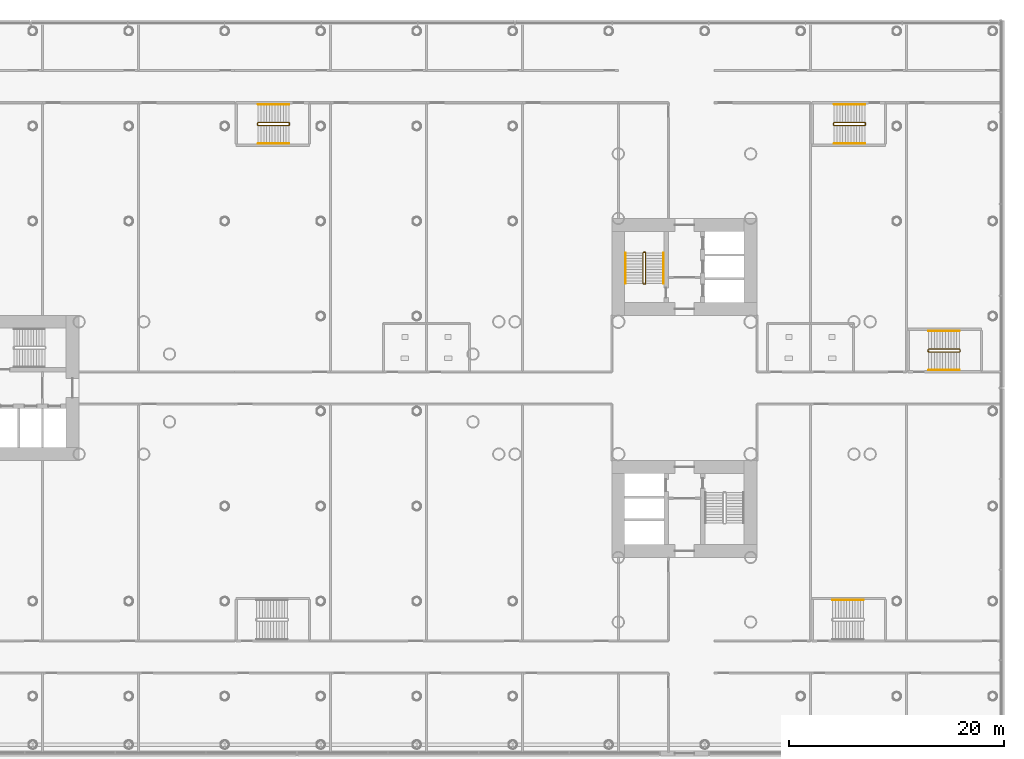
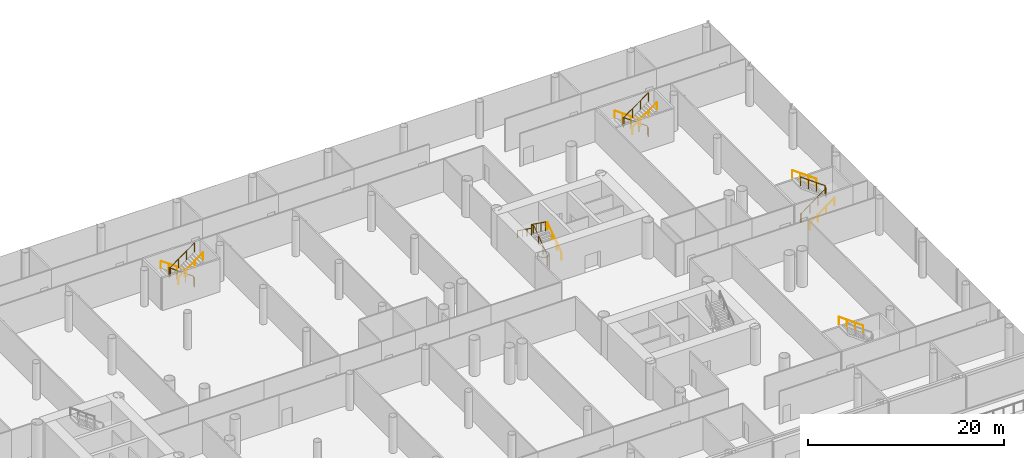
# One storey, part 50 of 51: 13 railings.
"""IFC4 building model written with IfcOpenShell, lengths in metres."""

import ifcopenshell
import ifcopenshell.guid

model = None  # the IFC model being written
_history = None  # IfcOwnerHistory: only IFC2X3 demands one
_inside = {}  # id of a spatial element -> (the spatial element, [elements in it])
_under = {}  # id of a project, library or spatial element -> (it, [spatial elements below it])
_declared = {}  # id of a project -> (the project, [libraries it declares])
_typed = {}  # id of a type object -> (the type object, [elements of that type])
_made_of = {}  # id of a material, layer set ... -> (it, [elements and type objects made of it])


def new_model(schema):
    """Start an empty IFC model of exactly this schema.

    Asked for "IFC4X3", IfcOpenShell would pick the latest addendum, in which some entities
    have other attributes; the version numbers below select the first issue.
    IFC2X3 requires an IfcOwnerHistory on every rooted entity: one is made here for all.
    """
    global model, _history
    if schema == "IFC4X3":
        model = ifcopenshell.file(schema_version=(4, 3, 0, 0))
    else:
        model = ifcopenshell.file(schema=schema)
    _inside.clear()
    _under.clear()
    _declared.clear()
    _typed.clear()
    _made_of.clear()
    _history = None
    if model.schema == "IFC2X3":
        org = make("IfcOrganization", Name="unknown")
        user = make(
            "IfcPersonAndOrganization",
            ThePerson=make("IfcPerson", FamilyName="unknown"),
            TheOrganization=org,
        )
        app = make(
            "IfcApplication",
            ApplicationDeveloper=org,
            Version="unknown",
            ApplicationFullName="unknown",
            ApplicationIdentifier="unknown",
        )
        _history = make(
            "IfcOwnerHistory",
            OwningUser=user,
            OwningApplication=app,
            ChangeAction="ADDED",
            CreationDate=0,
        )
    return model


def make(cls, **values):
    """One entity of the class cls with the attributes given. An attribute that is None is left unset."""
    return model.create_entity(
        cls, **{name: value for name, value in values.items() if value is not None}
    )


def rooted(cls, **values):
    """An entity with a GlobalId (a new one), such as an element, a storey or a relation."""
    return make(cls, GlobalId=ifcopenshell.guid.new(), OwnerHistory=_history, **values)


def si_unit(unit_type, name, prefix=None):
    """IfcSIUnit, for example si_unit("LENGTHUNIT", "METRE", prefix="MILLI")."""
    return make("IfcSIUnit", UnitType=unit_type, Prefix=prefix, Name=name)


def assignment(units):
    """IfcUnitAssignment: the units of a project."""
    return None if units is None else make("IfcUnitAssignment", Units=units)


def point(xyz):
    """IfcCartesianPoint."""
    return None if xyz is None else make("IfcCartesianPoint", Coordinates=xyz)


def direction(xyz):
    """IfcDirection."""
    return None if xyz is None else make("IfcDirection", DirectionRatios=xyz)


def frame(location, z_axis=None, x_axis=None):
    """IfcAxis2Placement3D, a coordinate frame: its origin and axes. An axis left out is left unset."""
    return make(
        "IfcAxis2Placement3D",
        Location=point(location),
        Axis=direction(z_axis),
        RefDirection=direction(x_axis),
    )


def frame_2d(location, x_axis=None):
    """IfcAxis2Placement2D, a coordinate frame in the plane: its origin and x axis."""
    return make(
        "IfcAxis2Placement2D", Location=point(location), RefDirection=direction(x_axis)
    )


def origin():
    """The frame at (0, 0, 0) with its axes left unset."""
    return frame((0.0, 0.0, 0.0))


def origin_2d():
    """The frame at (0, 0) in the plane with its x axis left unset."""
    return frame_2d((0.0, 0.0))


def place(relative_to, where):
    """IfcLocalPlacement: puts the frame where relative to a parent placement (None: the world)."""
    return make(
        "IfcLocalPlacement", PlacementRelTo=relative_to, RelativePlacement=where
    )


def context(
    kind, dimensions, precision=None, world=None, true_north=None, identifier=None
):
    """IfcGeometricRepresentationContext, for example the 3D "Model" context."""
    return make(
        "IfcGeometricRepresentationContext",
        ContextIdentifier=identifier,
        ContextType=kind,
        CoordinateSpaceDimension=dimensions,
        Precision=precision,
        WorldCoordinateSystem=world,
        TrueNorth=true_north,
    )


def subcontext(parent, identifier, kind, view, scale=None):
    """IfcGeometricRepresentationSubContext, for example "Body" below "Model"."""
    return make(
        "IfcGeometricRepresentationSubContext",
        ContextIdentifier=identifier,
        ContextType=kind,
        ParentContext=parent,
        TargetScale=scale,
        TargetView=view,
    )


def project(units=None, contexts=None):
    """IfcProject with its units and contexts."""
    return rooted(
        "IfcProject",
        Name="project",
        RepresentationContexts=contexts,
        UnitsInContext=assignment(units),
    )


def spatial(cls, under=None, at=None, **own):
    """A site, building, storey or space (cls), placed at a placement, below another one or the project."""
    s = rooted(cls, ObjectPlacement=at, **own)
    if under is not None:
        _under.setdefault(under.id(), (under, []))[1].append(s)
    return s


def profile(cls, at=None, kind="AREA", **sizes):
    """A parametric profile (cls). Its sizes go by their IFC names, for example OverallWidth=200.0."""
    return make(cls, ProfileType=kind, Position=at, **sizes)


def circle(**sizes):
    """IfcCircleProfileDef."""
    return profile("IfcCircleProfileDef", **sizes)


def extrude(swept, where, along, depth):
    """IfcExtrudedAreaSolid: the profile swept, set in the frame where, extruded along a direction by depth."""
    return make(
        "IfcExtrudedAreaSolid",
        SweptArea=swept,
        Position=where,
        ExtrudedDirection=direction(along),
        Depth=depth,
    )


def shape(context_of_items, identifier, shape_type, items):
    """IfcShapeRepresentation: the items that make up one representation, for example the "Body"."""
    return make(
        "IfcShapeRepresentation",
        ContextOfItems=context_of_items,
        RepresentationIdentifier=identifier,
        RepresentationType=shape_type,
        Items=items,
    )


def material(Name=None, Category=None):
    """IfcMaterial."""
    return make("IfcMaterial", Name=Name, Category=Category)


def made_of(thing, what):
    """Note that an element or type object is made of a material, layer set ...; save() writes the relation."""
    if what is not None:
        _made_of.setdefault(what.id(), (what, []))[1].append(thing)
    return thing


def type_object(cls, material=None, **own):
    """A type object (cls), such as IfcWallType, which elements share."""
    return made_of(rooted(cls, **own), material)


def element(
    cls,
    number,
    at=None,
    inside=None,
    cuts=None,
    type_object=None,
    material=None,
    context=None,
    identifier="Body",
    shape_type=None,
    held_by="IfcProductDefinitionShape",
    body=None,
    shapes=None,
    **own,
):
    """One element of the class cls, such as IfcWall. Its Tag is "e" and its number.

    at: its placement. inside: the storey or other place that contains it. cuts: it is an
    opening in that element (IfcRelVoidsElement). A single representation is given by context,
    identifier, shape_type and body (its items); several are given by shapes. held_by: the class
    of the entity that holds the representations. save() writes the other relations.
    """
    e = rooted(cls, Tag="e%d" % number, ObjectPlacement=at, **own)
    if body is not None:
        shapes = [shape(context, identifier, shape_type, body)]
    if shapes is not None:
        e.Representation = make(held_by, Representations=shapes)
    if inside is not None:
        _inside.setdefault(inside.id(), (inside, []))[1].append(e)
    if cuts is not None:
        rooted(
            "IfcRelVoidsElement", RelatingBuildingElement=cuts, RelatedOpeningElement=e
        )
    if type_object is not None:
        _typed.setdefault(type_object.id(), (type_object, []))[1].append(e)
    return made_of(e, material)


def aggregate(whole, parts):
    """IfcRelAggregates: a whole, such as a stair, and the parts it consists of."""
    return rooted("IfcRelAggregates", RelatingObject=whole, RelatedObjects=parts)


def save(model, path):
    """Write the relations noted so far, then the file.

    IfcRelAggregates (storeys below a building ...), IfcRelContainedInSpatialStructure (elements
    in a storey), IfcRelDefinesByType, IfcRelAssociatesMaterial and IfcRelDeclares: one each for
    every whole, place, type object, material and project.
    """
    for whole, parts in _under.values():
        aggregate(whole, parts)
    for where, things in _inside.values():
        rooted(
            "IfcRelContainedInSpatialStructure",
            RelatedElements=things,
            RelatingStructure=where,
        )
    for kind, things in _typed.values():
        rooted("IfcRelDefinesByType", RelatedObjects=things, RelatingType=kind)
    for what, things in _made_of.values():
        rooted("IfcRelAssociatesMaterial", RelatedObjects=things, RelatingMaterial=what)
    for by, libraries in _declared.values():
        rooted("IfcRelDeclares", RelatingContext=by, RelatedDefinitions=libraries)
    model.write(path)


model = new_model("IFC4")

# Units and contexts
model_context = context("Model", 3, precision=1e-05, world=origin(), true_north=direction((0.0, 1.0)))
body_context = subcontext(model_context, "Body", "Model", "MODEL_VIEW")
ifc_project = project(units=[si_unit("LENGTHUNIT", "METRE"), si_unit("AREAUNIT", "SQUARE_METRE"), si_unit("VOLUMEUNIT", "CUBIC_METRE"), si_unit("PLANEANGLEUNIT", "RADIAN"), si_unit("MASSUNIT", "GRAM", prefix="KILO")], contexts=[model_context])

# Site, building, storey
site_placement = place(None, origin())
site = spatial("IfcSite", under=ifc_project, at=site_placement, CompositionType="ELEMENT")
building_placement = place(site_placement, origin())
building = spatial("IfcBuilding", under=site, at=building_placement, Name="Ipe Terrace Towers", CompositionType="ELEMENT")
storey_placement = place(building_placement, frame((0.0, 0.0, 15.5)))
storey = spatial("IfcBuildingStorey", under=building, at=storey_placement, Name="L03", CompositionType="ELEMENT", Elevation=15.5)

# Railings
ifc_material_1 = material(Name="Steel S355", Category="steel")
railing_type_1 = type_object("IfcRailingType", Name="Stair guard 1100", PredefinedType="GUARDRAIL", material=ifc_material_1)
railing_1_placement = place(storey_placement, frame((32.199951171875, 9.64990234375, 0.0)))
element("IfcRailing", 1, at=railing_1_placement, inside=storey, type_object=railing_type_1, Name="L03 T2-ST1 stair guard 1", PredefinedType="GUARDRAIL", context=body_context, shape_type="SweptSolid", body=[
    extrude(circle(Radius=0.02392578125, at=origin_2d()), frame((0.0, 0.0, 1.076171875), z_axis=(1.0, 0.0, 0.0), x_axis=(0.0, 1.0, 0.0)), (0.0, 0.0, 1.0), 0.150146484375),
    extrude(circle(Radius=0.02392578125, at=origin_2d()), frame((0.150146484375, 0.0, 1.076171875), z_axis=(0.248583702486, 0.249802250048, 0.935844527007), x_axis=(-0.708833529934, 0.705375805398, 0.0)), (0.0, 0.0, 1.0), 0.200439453125),
    extrude(circle(Radius=0.02392578125, at=origin_2d()), frame((0.199951171875, 0.050048828125, 1.263671875), z_axis=(0.0, 0.811100754333, 0.584906459462), x_axis=(-1.0, 0.0, 0.0)), (0.0, 0.0, 1.0), 3.526123046875),
    extrude(circle(Radius=0.02392578125, at=origin_2d()), frame((0.199951171875, 2.91015625, 3.326171875), z_axis=(-0.705375805398, 0.708833529934, 0.0), x_axis=(-0.708833529934, -0.705375805398, 0.0)), (0.0, 0.0, 1.0), 0.070556640625),
    extrude(circle(Radius=0.02392578125, at=origin_2d()), frame((0.150146484375, 2.960205078125, 3.326171875), z_axis=(-1.0, 0.0, 0.0), x_axis=(0.0, -1.0, 0.0)), (0.0, 0.0, 1.0), 0.150146484375),
    extrude(circle(Radius=0.02392578125, at=origin_2d()), frame((0.0, 2.960205078125, 3.326171875), z_axis=(-0.249726431254, -0.249726431254, 0.935560483917), x_axis=(0.707106781187, -0.707106781187, 0.0)), (0.0, 0.0, 1.0), 0.200439453125),
    extrude(circle(Radius=0.02392578125, at=origin_2d()), frame((-0.050048828125, 2.91015625, 3.513671875), z_axis=(0.0, -0.811100754333, 0.584906459462), x_axis=(1.0, 0.0, 0.0)), (0.0, 0.0, 1.0), 3.526123046875),
    extrude(circle(Radius=0.02099609375, at=origin_2d()), origin(), (0.0, 0.0, 1.0), 1.052001953125),
    extrude(circle(Radius=0.02099609375, at=origin_2d()), frame((0.150146484375, 0.0, 0.0)), (0.0, 0.0, 1.0), 1.052001953125),
    extrude(circle(Radius=0.02099609375, at=origin_2d()), frame((0.199951171875, 0.050048828125, 0.1875)), (0.0, 0.0, 1.0), 1.052001953125),
    extrude(circle(Radius=0.02099609375, at=origin_2d()), frame((0.199951171875, 1.00341796875, 0.875)), (0.0, 0.0, 1.0), 1.052001953125),
    extrude(circle(Radius=0.02099609375, at=origin_2d()), frame((0.199951171875, 1.956787109375, 1.5625)), (0.0, 0.0, 1.0), 1.052001953125),
    extrude(circle(Radius=0.02099609375, at=origin_2d()), frame((0.199951171875, 2.91015625, 2.25)), (0.0, 0.0, 1.0), 1.052001953125),
    extrude(circle(Radius=0.02099609375, at=origin_2d()), frame((0.150146484375, 2.960205078125, 2.25)), (0.0, 0.0, 1.0), 1.052001953125),
    extrude(circle(Radius=0.02099609375, at=origin_2d()), frame((0.0, 2.960205078125, 2.25)), (0.0, 0.0, 1.0), 1.052001953125),
    extrude(circle(Radius=0.02099609375, at=origin_2d()), frame((-0.050048828125, 2.91015625, 2.4375)), (0.0, 0.0, 1.0), 1.052001953125),
    extrude(circle(Radius=0.02099609375, at=origin_2d()), frame((-0.050048828125, 1.956787109375, 3.125)), (0.0, 0.0, 1.0), 1.052001953125),
    extrude(circle(Radius=0.02099609375, at=origin_2d()), frame((-0.050048828125, 1.00341796875, 3.8125)), (0.0, 0.0, 1.0), 1.052001953125),
    extrude(circle(Radius=0.02099609375, at=origin_2d()), frame((-0.050048828125, 0.050048828125, 4.5)), (0.0, 0.0, 1.0), 1.052001953125),
])
railing_2_placement = place(storey_placement, frame((-0.699951171875, 24.449951171875, 0.0)))
element("IfcRailing", 2, at=railing_2_placement, inside=storey, type_object=railing_type_1, Name="L03 PS2 stair guard 1", PredefinedType="GUARDRAIL", context=body_context, shape_type="SweptSolid", body=[
    extrude(circle(Radius=0.02392578125, at=origin_2d()), frame((0.0, 0.0, 1.076171875), z_axis=(0.0, 1.0, 0.0), x_axis=(-1.0, 0.0, 0.0)), (0.0, 0.0, 1.0), 0.150146484375),
    extrude(circle(Radius=0.02392578125, at=origin_2d()), frame((0.0, 0.150146484375, 1.076171875), z_axis=(-0.249802250048, 0.248583702486, 0.935844527007), x_axis=(-0.705375805398, -0.708833529934, 0.0)), (0.0, 0.0, 1.0), 0.200439453125),
    extrude(circle(Radius=0.02392578125, at=origin_2d()), frame((-0.050048828125, 0.199951171875, 1.263671875), z_axis=(-0.811100754333, 0.0, 0.584906459462), x_axis=(0.0, -1.0, 0.0)), (0.0, 0.0, 1.0), 3.526123046875),
    extrude(circle(Radius=0.02392578125, at=origin_2d()), frame((-2.91015625, 0.199951171875, 3.326171875), z_axis=(-0.707106781187, -0.707106781187, 0.0), x_axis=(0.707106781187, -0.707106781187, 0.0)), (0.0, 0.0, 1.0), 0.0703125),
    extrude(circle(Radius=0.02392578125, at=origin_2d()), frame((-2.9599609375, 0.150146484375, 3.326171875), z_axis=(0.0, -1.0, 0.0), x_axis=(1.0, 0.0, 0.0)), (0.0, 0.0, 1.0), 0.150146484375),
    extrude(circle(Radius=0.02392578125, at=origin_2d()), frame((-2.9599609375, 0.0, 3.326171875), z_axis=(0.248583702486, -0.249802250048, 0.935844527007), x_axis=(0.708833529934, 0.705375805398, 0.0)), (0.0, 0.0, 1.0), 0.200439453125),
    extrude(circle(Radius=0.02392578125, at=origin_2d()), frame((-2.91015625, -0.050048828125, 3.513671875), z_axis=(0.811100754333, 0.0, 0.584906459462), x_axis=(0.0, 1.0, 0.0)), (0.0, 0.0, 1.0), 3.526123046875),
    extrude(circle(Radius=0.02099609375, at=origin_2d()), origin(), (0.0, 0.0, 1.0), 1.052001953125),
    extrude(circle(Radius=0.02099609375, at=origin_2d()), frame((0.0, 0.150146484375, 0.0)), (0.0, 0.0, 1.0), 1.052001953125),
    extrude(circle(Radius=0.02099609375, at=origin_2d()), frame((-0.050048828125, 0.199951171875, 0.1875)), (0.0, 0.0, 1.0), 1.052001953125),
    extrude(circle(Radius=0.02099609375, at=origin_2d()), frame((-1.00341796875, 0.199951171875, 0.875)), (0.0, 0.0, 1.0), 1.052001953125),
    extrude(circle(Radius=0.02099609375, at=origin_2d()), frame((-1.956787109375, 0.199951171875, 1.5625)), (0.0, 0.0, 1.0), 1.052001953125),
    extrude(circle(Radius=0.02099609375, at=origin_2d()), frame((-2.91015625, 0.199951171875, 2.25)), (0.0, 0.0, 1.0), 1.052001953125),
    extrude(circle(Radius=0.02099609375, at=origin_2d()), frame((-2.9599609375, 0.150146484375, 2.25)), (0.0, 0.0, 1.0), 1.052001953125),
    extrude(circle(Radius=0.02099609375, at=origin_2d()), frame((-2.9599609375, 0.0, 2.25)), (0.0, 0.0, 1.0), 1.052001953125),
    extrude(circle(Radius=0.02099609375, at=origin_2d()), frame((-2.91015625, -0.050048828125, 2.4375)), (0.0, 0.0, 1.0), 1.052001953125),
    extrude(circle(Radius=0.02099609375, at=origin_2d()), frame((-1.956787109375, -0.050048828125, 3.125)), (0.0, 0.0, 1.0), 1.052001953125),
    extrude(circle(Radius=0.02099609375, at=origin_2d()), frame((-1.00341796875, -0.050048828125, 3.8125)), (0.0, 0.0, 1.0), 1.052001953125),
    extrude(circle(Radius=0.02099609375, at=origin_2d()), frame((-0.050048828125, -0.050048828125, 4.5)), (0.0, 0.0, 1.0), 1.052001953125),
])
railing_3_placement = place(storey_placement, frame((52.820068359375, 24.449951171875, 0.0)))
element("IfcRailing", 3, at=railing_3_placement, inside=storey, type_object=railing_type_1, Name="L03 PS3 stair guard 1", PredefinedType="GUARDRAIL", context=body_context, shape_type="SweptSolid", body=[
    extrude(circle(Radius=0.02392578125, at=origin_2d()), frame((0.0, 0.0, 1.076171875), z_axis=(0.0, 1.0, 0.0), x_axis=(-1.0, 0.0, 0.0)), (0.0, 0.0, 1.0), 0.150146484375),
    extrude(circle(Radius=0.02392578125, at=origin_2d()), frame((0.0, 0.150146484375, 1.076171875), z_axis=(-0.249802250048, 0.248583702486, 0.935844527007), x_axis=(-0.705375805398, -0.708833529934, 0.0)), (0.0, 0.0, 1.0), 0.200439453125),
    extrude(circle(Radius=0.02392578125, at=origin_2d()), frame((-0.050048828125, 0.199951171875, 1.263671875), z_axis=(-0.811100754333, 0.0, 0.584906459462), x_axis=(0.0, -1.0, 0.0)), (0.0, 0.0, 1.0), 3.526123046875),
    extrude(circle(Radius=0.02392578125, at=origin_2d()), frame((-2.91015625, 0.199951171875, 3.326171875), z_axis=(-0.707106781187, -0.707106781187, 0.0), x_axis=(0.707106781187, -0.707106781187, 0.0)), (0.0, 0.0, 1.0), 0.0703125),
    extrude(circle(Radius=0.02392578125, at=origin_2d()), frame((-2.9599609375, 0.150146484375, 3.326171875), z_axis=(0.0, -1.0, 0.0), x_axis=(1.0, 0.0, 0.0)), (0.0, 0.0, 1.0), 0.150146484375),
    extrude(circle(Radius=0.02392578125, at=origin_2d()), frame((-2.9599609375, 0.0, 3.326171875), z_axis=(0.248583702486, -0.249802250048, 0.935844527007), x_axis=(0.708833529934, 0.705375805398, 0.0)), (0.0, 0.0, 1.0), 0.200439453125),
    extrude(circle(Radius=0.02392578125, at=origin_2d()), frame((-2.91015625, -0.050048828125, 3.513671875), z_axis=(0.811100754333, 0.0, 0.584906459462), x_axis=(0.0, 1.0, 0.0)), (0.0, 0.0, 1.0), 3.526123046875),
    extrude(circle(Radius=0.02099609375, at=origin_2d()), origin(), (0.0, 0.0, 1.0), 1.052001953125),
    extrude(circle(Radius=0.02099609375, at=origin_2d()), frame((0.0, 0.150146484375, 0.0)), (0.0, 0.0, 1.0), 1.052001953125),
    extrude(circle(Radius=0.02099609375, at=origin_2d()), frame((-0.050048828125, 0.199951171875, 0.1875)), (0.0, 0.0, 1.0), 1.052001953125),
    extrude(circle(Radius=0.02099609375, at=origin_2d()), frame((-1.00341796875, 0.199951171875, 0.875)), (0.0, 0.0, 1.0), 1.052001953125),
    extrude(circle(Radius=0.02099609375, at=origin_2d()), frame((-1.956787109375, 0.199951171875, 1.5625)), (0.0, 0.0, 1.0), 1.052001953125),
    extrude(circle(Radius=0.02099609375, at=origin_2d()), frame((-2.91015625, 0.199951171875, 2.25)), (0.0, 0.0, 1.0), 1.052001953125),
    extrude(circle(Radius=0.02099609375, at=origin_2d()), frame((-2.9599609375, 0.150146484375, 2.25)), (0.0, 0.0, 1.0), 1.052001953125),
    extrude(circle(Radius=0.02099609375, at=origin_2d()), frame((-2.9599609375, 0.0, 2.25)), (0.0, 0.0, 1.0), 1.052001953125),
    extrude(circle(Radius=0.02099609375, at=origin_2d()), frame((-2.91015625, -0.050048828125, 2.4375)), (0.0, 0.0, 1.0), 1.052001953125),
    extrude(circle(Radius=0.02099609375, at=origin_2d()), frame((-1.956787109375, -0.050048828125, 3.125)), (0.0, 0.0, 1.0), 1.052001953125),
    extrude(circle(Radius=0.02099609375, at=origin_2d()), frame((-1.00341796875, -0.050048828125, 3.8125)), (0.0, 0.0, 1.0), 1.052001953125),
    extrude(circle(Radius=0.02099609375, at=origin_2d()), frame((-0.050048828125, -0.050048828125, 4.5)), (0.0, 0.0, 1.0), 1.052001953125),
])
railing_4_placement = place(storey_placement, frame((58.639892578125, 3.550048828125, 0.0)))
element("IfcRailing", 4, at=railing_4_placement, inside=storey, type_object=railing_type_1, Name="L03 PS8 stair guard 1", PredefinedType="GUARDRAIL", context=body_context, shape_type="SweptSolid", body=[
    extrude(circle(Radius=0.02392578125, at=origin_2d()), frame((0.0, 0.0, 1.076171875), z_axis=(0.0, -1.0, 0.0), x_axis=(1.0, 0.0, 0.0)), (0.0, 0.0, 1.0), 0.150146484375),
    extrude(circle(Radius=0.02392578125, at=origin_2d()), frame((0.0, -0.150146484375, 1.076171875), z_axis=(0.249802250048, -0.248583702486, 0.935844527007), x_axis=(0.705375805398, 0.708833529934, 0.0)), (0.0, 0.0, 1.0), 0.200439453125),
    extrude(circle(Radius=0.02392578125, at=origin_2d()), frame((0.050048828125, -0.199951171875, 1.263671875), z_axis=(0.811100754333, 0.0, 0.584906459462), x_axis=(0.0, 1.0, 0.0)), (0.0, 0.0, 1.0), 3.526123046875),
    extrude(circle(Radius=0.02392578125, at=origin_2d()), frame((2.91015625, -0.199951171875, 3.326171875), z_axis=(0.708833529934, 0.705375805398, 0.0), x_axis=(-0.705375805398, 0.708833529934, 0.0)), (0.0, 0.0, 1.0), 0.070556640625),
    extrude(circle(Radius=0.02392578125, at=origin_2d()), frame((2.960205078125, -0.150146484375, 3.326171875), z_axis=(0.0, 1.0, 0.0), x_axis=(-1.0, 0.0, 0.0)), (0.0, 0.0, 1.0), 0.150146484375),
    extrude(circle(Radius=0.02392578125, at=origin_2d()), frame((2.960205078125, 0.0, 3.326171875), z_axis=(-0.249726431254, 0.249726431254, 0.935560483917), x_axis=(-0.707106781187, -0.707106781187, 0.0)), (0.0, 0.0, 1.0), 0.200439453125),
    extrude(circle(Radius=0.02392578125, at=origin_2d()), frame((2.91015625, 0.050048828125, 3.513671875), z_axis=(-0.811100754333, 0.0, 0.584906459462), x_axis=(0.0, -1.0, 0.0)), (0.0, 0.0, 1.0), 3.526123046875),
    extrude(circle(Radius=0.02099609375, at=origin_2d()), origin(), (0.0, 0.0, 1.0), 1.052001953125),
    extrude(circle(Radius=0.02099609375, at=origin_2d()), frame((0.0, -0.150146484375, 0.0)), (0.0, 0.0, 1.0), 1.052001953125),
    extrude(circle(Radius=0.02099609375, at=origin_2d()), frame((0.050048828125, -0.199951171875, 0.1875)), (0.0, 0.0, 1.0), 1.052001953125),
    extrude(circle(Radius=0.02099609375, at=origin_2d()), frame((1.00341796875, -0.199951171875, 0.875)), (0.0, 0.0, 1.0), 1.052001953125),
    extrude(circle(Radius=0.02099609375, at=origin_2d()), frame((1.956787109375, -0.199951171875, 1.5625)), (0.0, 0.0, 1.0), 1.052001953125),
    extrude(circle(Radius=0.02099609375, at=origin_2d()), frame((2.91015625, -0.199951171875, 2.25)), (0.0, 0.0, 1.0), 1.052001953125),
    extrude(circle(Radius=0.02099609375, at=origin_2d()), frame((2.960205078125, -0.150146484375, 2.25)), (0.0, 0.0, 1.0), 1.052001953125),
    extrude(circle(Radius=0.02099609375, at=origin_2d()), frame((2.960205078125, 0.0, 2.25)), (0.0, 0.0, 1.0), 1.052001953125),
    extrude(circle(Radius=0.02099609375, at=origin_2d()), frame((2.91015625, 0.050048828125, 2.4375)), (0.0, 0.0, 1.0), 1.052001953125),
    extrude(circle(Radius=0.02099609375, at=origin_2d()), frame((1.956787109375, 0.050048828125, 3.125)), (0.0, 0.0, 1.0), 1.052001953125),
    extrude(circle(Radius=0.02099609375, at=origin_2d()), frame((1.00341796875, 0.050048828125, 3.8125)), (0.0, 0.0, 1.0), 1.052001953125),
    extrude(circle(Radius=0.02099609375, at=origin_2d()), frame((0.050048828125, 0.050048828125, 4.5)), (0.0, 0.0, 1.0), 1.052001953125),
])
ifc_material_2 = material(Name="Stainless steel grade 304", Category="steel")
railing_type_2 = type_object("IfcRailingType", Name="Stair handrail 900", PredefinedType="HANDRAIL", material=ifc_material_2)
railing_5_placement = place(storey_placement, frame((34.050048828125, 9.699951171875, 0.1875)))
element("IfcRailing", 5, at=railing_5_placement, inside=storey, type_object=railing_type_2, Name="L03 T2-ST1 stair handrail 1", PredefinedType="HANDRAIL", context=body_context, shape_type="SweptSolid", body=[
    extrude(circle(Radius=0.02392578125, at=origin_2d()), frame((0.0, 0.0, 0.8759765625), z_axis=(0.0, 0.811100754333, 0.584906459462), x_axis=(-1.0, 0.0, 0.0)), (0.0, 0.0, 1.0), 3.526123046875),
    extrude(circle(Radius=0.02099609375, at=origin_2d()), origin(), (0.0, 0.0, 1.0), 0.851806640625),
    extrude(circle(Radius=0.02099609375, at=origin_2d()), frame((0.0, 0.953369140625, 0.6875)), (0.0, 0.0, 1.0), 0.851806640625),
    extrude(circle(Radius=0.02099609375, at=origin_2d()), frame((0.0, 1.90673828125, 1.375)), (0.0, 0.0, 1.0), 0.851806640625),
    extrude(circle(Radius=0.02099609375, at=origin_2d()), frame((0.0, 2.860107421875, 2.0625)), (0.0, 0.0, 1.0), 0.851806640625),
])
railing_6_placement = place(storey_placement, frame((30.5, 12.56005859375, 2.4375)))
element("IfcRailing", 6, at=railing_6_placement, inside=storey, type_object=railing_type_2, Name="L03 T2-ST1 stair handrail 2", PredefinedType="HANDRAIL", context=body_context, shape_type="SweptSolid", body=[
    extrude(circle(Radius=0.02392578125, at=origin_2d()), frame((0.0, 0.0, 0.8759765625), z_axis=(0.0, -0.811100754333, 0.584906459462), x_axis=(1.0, 0.0, 0.0)), (0.0, 0.0, 1.0), 3.526123046875),
    extrude(circle(Radius=0.02099609375, at=origin_2d()), origin(), (0.0, 0.0, 1.0), 0.851806640625),
    extrude(circle(Radius=0.02099609375, at=origin_2d()), frame((0.0, -0.953369140625, 0.6875)), (0.0, 0.0, 1.0), 0.851806640625),
    extrude(circle(Radius=0.02099609375, at=origin_2d()), frame((0.0, -1.90673828125, 1.375)), (0.0, 0.0, 1.0), 0.851806640625),
    extrude(circle(Radius=0.02099609375, at=origin_2d()), frame((0.0, -2.860107421875, 2.0625)), (0.0, 0.0, 1.0), 0.851806640625),
])
railing_7_placement = place(storey_placement, frame((-0.75, 26.35009765625, 0.1875)))
element("IfcRailing", 7, at=railing_7_placement, inside=storey, type_object=railing_type_2, Name="L03 PS2 stair handrail 1", PredefinedType="HANDRAIL", context=body_context, shape_type="SweptSolid", body=[
    extrude(circle(Radius=0.02392578125, at=origin_2d()), frame((0.0, 0.0, 0.8759765625), z_axis=(-0.811100754333, 0.0, 0.584906459462), x_axis=(0.0, -1.0, 0.0)), (0.0, 0.0, 1.0), 3.526123046875),
    extrude(circle(Radius=0.02099609375, at=origin_2d()), origin(), (0.0, 0.0, 1.0), 0.851806640625),
    extrude(circle(Radius=0.02099609375, at=origin_2d()), frame((-0.953369140625, 0.0, 0.6875)), (0.0, 0.0, 1.0), 0.851806640625),
    extrude(circle(Radius=0.02099609375, at=origin_2d()), frame((-1.90673828125, 0.0, 1.375)), (0.0, 0.0, 1.0), 0.851806640625),
    extrude(circle(Radius=0.02099609375, at=origin_2d()), frame((-2.860107421875, 0.0, 2.0625)), (0.0, 0.0, 1.0), 0.851806640625),
])
railing_8_placement = place(storey_placement, frame((-3.610107421875, 22.699951171875, 2.4375)))
element("IfcRailing", 8, at=railing_8_placement, inside=storey, type_object=railing_type_2, Name="L03 PS2 stair handrail 2", PredefinedType="HANDRAIL", context=body_context, shape_type="SweptSolid", body=[
    extrude(circle(Radius=0.02392578125, at=origin_2d()), frame((0.0, 0.0, 0.8759765625), z_axis=(0.811100754333, 0.0, 0.584906459462), x_axis=(0.0, 1.0, 0.0)), (0.0, 0.0, 1.0), 3.526123046875),
    extrude(circle(Radius=0.02099609375, at=origin_2d()), origin(), (0.0, 0.0, 1.0), 0.851806640625),
    extrude(circle(Radius=0.02099609375, at=origin_2d()), frame((0.953369140625, 0.0, 0.6875)), (0.0, 0.0, 1.0), 0.851806640625),
    extrude(circle(Radius=0.02099609375, at=origin_2d()), frame((1.90673828125, 0.0, 1.375)), (0.0, 0.0, 1.0), 0.851806640625),
    extrude(circle(Radius=0.02099609375, at=origin_2d()), frame((2.860107421875, 0.0, 2.0625)), (0.0, 0.0, 1.0), 0.851806640625),
])
railing_9_placement = place(storey_placement, frame((52.77001953125, 26.35009765625, 0.1875)))
element("IfcRailing", 9, at=railing_9_placement, inside=storey, type_object=railing_type_2, Name="L03 PS3 stair handrail 1", PredefinedType="HANDRAIL", context=body_context, shape_type="SweptSolid", body=[
    extrude(circle(Radius=0.02392578125, at=origin_2d()), frame((0.0, 0.0, 0.8759765625), z_axis=(-0.811100754333, 0.0, 0.584906459462), x_axis=(0.0, -1.0, 0.0)), (0.0, 0.0, 1.0), 3.526123046875),
    extrude(circle(Radius=0.02099609375, at=origin_2d()), origin(), (0.0, 0.0, 1.0), 0.851806640625),
    extrude(circle(Radius=0.02099609375, at=origin_2d()), frame((-0.953369140625, 0.0, 0.6875)), (0.0, 0.0, 1.0), 0.851806640625),
    extrude(circle(Radius=0.02099609375, at=origin_2d()), frame((-1.90673828125, 0.0, 1.375)), (0.0, 0.0, 1.0), 0.851806640625),
    extrude(circle(Radius=0.02099609375, at=origin_2d()), frame((-2.860107421875, 0.0, 2.0625)), (0.0, 0.0, 1.0), 0.851806640625),
])
railing_10_placement = place(storey_placement, frame((49.909912109375, 22.699951171875, 2.4375)))
element("IfcRailing", 10, at=railing_10_placement, inside=storey, type_object=railing_type_2, Name="L03 PS3 stair handrail 2", PredefinedType="HANDRAIL", context=body_context, shape_type="SweptSolid", body=[
    extrude(circle(Radius=0.02392578125, at=origin_2d()), frame((0.0, 0.0, 0.8759765625), z_axis=(0.811100754333, 0.0, 0.584906459462), x_axis=(0.0, 1.0, 0.0)), (0.0, 0.0, 1.0), 3.526123046875),
    extrude(circle(Radius=0.02099609375, at=origin_2d()), origin(), (0.0, 0.0, 1.0), 0.851806640625),
    extrude(circle(Radius=0.02099609375, at=origin_2d()), frame((0.953369140625, 0.0, 0.6875)), (0.0, 0.0, 1.0), 0.851806640625),
    extrude(circle(Radius=0.02099609375, at=origin_2d()), frame((1.90673828125, 0.0, 1.375)), (0.0, 0.0, 1.0), 0.851806640625),
    extrude(circle(Radius=0.02099609375, at=origin_2d()), frame((2.860107421875, 0.0, 2.0625)), (0.0, 0.0, 1.0), 0.851806640625),
])
railing_11_placement = place(storey_placement, frame((52.6298828125, -19.699951171875, 2.4375)))
element("IfcRailing", 11, at=railing_11_placement, inside=storey, type_object=railing_type_2, Name="L03 PS6 stair handrail 2", PredefinedType="HANDRAIL", context=body_context, shape_type="SweptSolid", body=[
    extrude(circle(Radius=0.02392578125, at=origin_2d()), frame((0.0, 0.0, 0.8759765625), z_axis=(-0.811077065594, 0.0, 0.584939307678), x_axis=(0.0, -1.0, 0.0)), (0.0, 0.0, 1.0), 3.526123046875),
    extrude(circle(Radius=0.02099609375, at=origin_2d()), origin(), (0.0, 0.0, 1.0), 0.851806640625),
    extrude(circle(Radius=0.02099609375, at=origin_2d()), frame((-0.953369140625, 0.0, 0.6875)), (0.0, 0.0, 1.0), 0.851806640625),
    extrude(circle(Radius=0.02099609375, at=origin_2d()), frame((-1.906494140625, 0.0, 1.375)), (0.0, 0.0, 1.0), 0.851806640625),
    extrude(circle(Radius=0.02099609375, at=origin_2d()), frame((-2.85986328125, 0.0, 2.0625)), (0.0, 0.0, 1.0), 0.851806640625),
])
railing_12_placement = place(storey_placement, frame((58.68994140625, 1.64990234375, 0.1875)))
element("IfcRailing", 12, at=railing_12_placement, inside=storey, type_object=railing_type_2, Name="L03 PS8 stair handrail 1", PredefinedType="HANDRAIL", context=body_context, shape_type="SweptSolid", body=[
    extrude(circle(Radius=0.02392578125, at=origin_2d()), frame((0.0, 0.0, 0.8759765625), z_axis=(0.811100754333, 0.0, 0.584906459462), x_axis=(0.0, 1.0, 0.0)), (0.0, 0.0, 1.0), 3.526123046875),
    extrude(circle(Radius=0.02099609375, at=origin_2d()), origin(), (0.0, 0.0, 1.0), 0.851806640625),
    extrude(circle(Radius=0.02099609375, at=origin_2d()), frame((0.953369140625, 0.0, 0.6875)), (0.0, 0.0, 1.0), 0.851806640625),
    extrude(circle(Radius=0.02099609375, at=origin_2d()), frame((1.90673828125, 0.0, 1.375)), (0.0, 0.0, 1.0), 0.851806640625),
    extrude(circle(Radius=0.02099609375, at=origin_2d()), frame((2.860107421875, 0.0, 2.0625)), (0.0, 0.0, 1.0), 0.851806640625),
])
railing_13_placement = place(storey_placement, frame((61.550048828125, 5.300048828125, 2.4375)))
element("IfcRailing", 13, at=railing_13_placement, inside=storey, type_object=railing_type_2, Name="L03 PS8 stair handrail 2", PredefinedType="HANDRAIL", context=body_context, shape_type="SweptSolid", body=[
    extrude(circle(Radius=0.02392578125, at=origin_2d()), frame((0.0, 0.0, 0.8759765625), z_axis=(-0.811100754333, 0.0, 0.584906459462), x_axis=(0.0, -1.0, 0.0)), (0.0, 0.0, 1.0), 3.526123046875),
    extrude(circle(Radius=0.02099609375, at=origin_2d()), origin(), (0.0, 0.0, 1.0), 0.851806640625),
    extrude(circle(Radius=0.02099609375, at=origin_2d()), frame((-0.953369140625, 0.0, 0.6875)), (0.0, 0.0, 1.0), 0.851806640625),
    extrude(circle(Radius=0.02099609375, at=origin_2d()), frame((-1.90673828125, 0.0, 1.375)), (0.0, 0.0, 1.0), 0.851806640625),
    extrude(circle(Radius=0.02099609375, at=origin_2d()), frame((-2.860107421875, 0.0, 2.0625)), (0.0, 0.0, 1.0), 0.851806640625),
])

save(model, "model.ifc")
